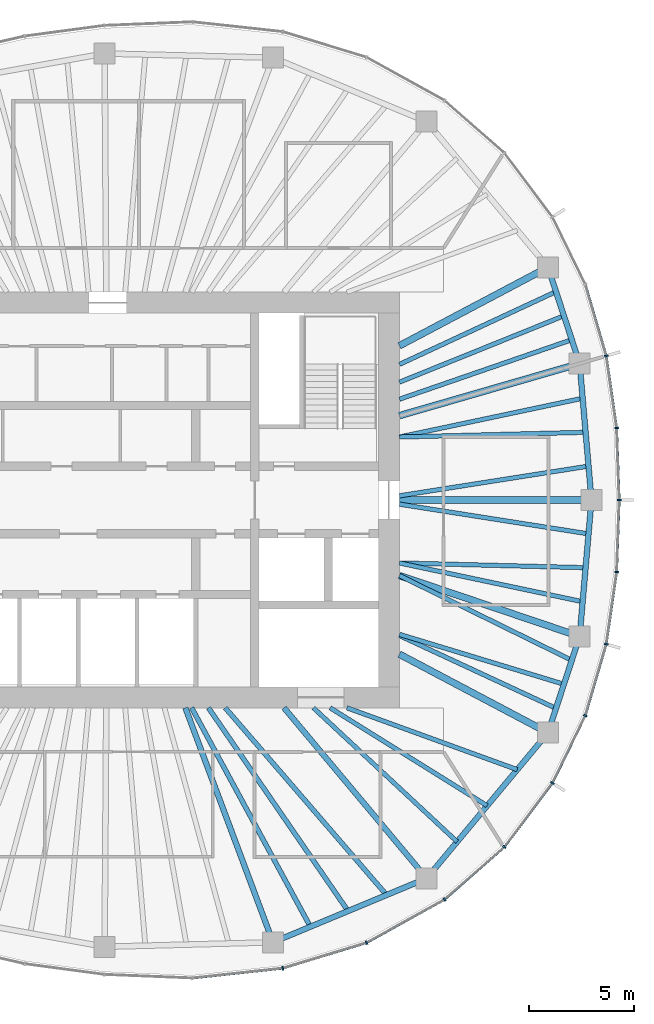
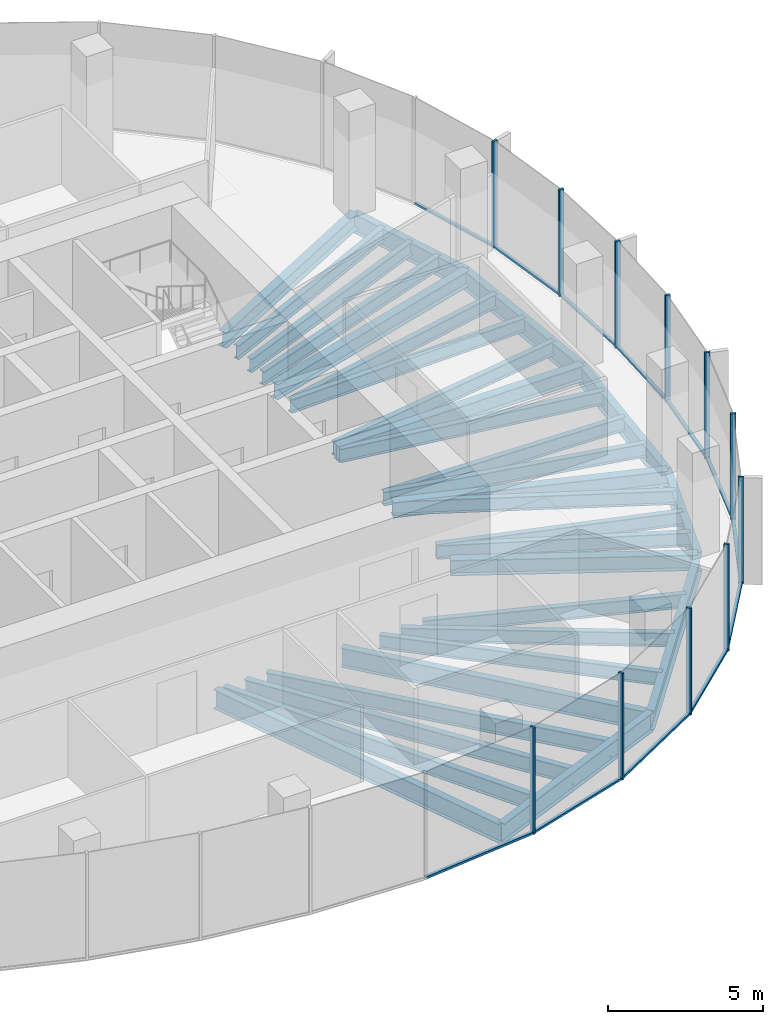
# One storey, part 4 of 11: 31 beams, 23 members, 7 elements without a shape of their own.
"""IFC4 building model written with IfcOpenShell, lengths in metres."""

from ifc_helpers import new_model, si_unit, direction, frame, origin, origin_2d, place, context, subcontext, project, spatial, rectangle, i_section, extrude, material, material_profile, profile_set, type_object, element, aggregate, save


model = new_model("IFC4")

# Units and contexts
model_context = context("Model", 3, precision=1e-05, world=origin(), true_north=direction((0.0, 1.0)))
body_context = subcontext(model_context, "Body", "Model", "MODEL_VIEW")
ifc_project = project(units=[si_unit("LENGTHUNIT", "METRE"), si_unit("AREAUNIT", "SQUARE_METRE"), si_unit("VOLUMEUNIT", "CUBIC_METRE"), si_unit("PLANEANGLEUNIT", "RADIAN"), si_unit("MASSUNIT", "GRAM", prefix="KILO")], contexts=[model_context])

# Site, building, storey
site_placement = place(None, origin())
site = spatial("IfcSite", under=ifc_project, at=site_placement, CompositionType="ELEMENT")
building_placement = place(site_placement, origin())
building = spatial("IfcBuilding", under=site, at=building_placement, Name="Ghaith Harvest Tower", CompositionType="ELEMENT")
storey_placement = place(building_placement, frame((0.0, 0.0, 313.199951171875)))
storey = spatial("IfcBuildingStorey", under=building, at=storey_placement, Name="L70", CompositionType="ELEMENT", Elevation=313.199951171875)

# Curtain wall, members
ifc_material_1 = material(Name="Black anodised aluminium and fritted glass", Category="aluminium")
curtain_wall_type = type_object("IfcCurtainWallType", Name="CW-T CURTAIN WALL", PredefinedType="NOTDEFINED", material=ifc_material_1)
curtain_wall_1_placement = place(storey_placement, origin())
curtain_wall_1 = element("IfcCurtainWall", 1, at=curtain_wall_1_placement, inside=storey, type_object=curtain_wall_type, Name="Curtain wall CW-T bay 01 L70", PredefinedType="NOTDEFINED")
ifc_material_2 = material(Name="Aluminium, black anodised", Category="aluminium")
ifc_material_profile_1 = material_profile(ifc_material_2, rectangle(XDim=0.080078125, YDim=0.179931640625, at=origin_2d()), Name="CW-T MULLION 80x180")
ifc_profile_set_1 = profile_set([ifc_material_profile_1], Name="Aluminium, black anodised")
member_type_1 = type_object("IfcMemberType", Name="CW-T MULLION 80x180", PredefinedType="MULLION", material=ifc_profile_set_1)
member_1_placement = place(storey_placement, frame((24.3701171875, 0.0, 0.0), z_axis=(0.0, 0.0, 1.0), x_axis=(5.2e-11, 1.0, 0.0)))
member_1 = element("IfcMember", 2, at=member_1_placement, type_object=member_type_1, Name="CW-T mullion 1 bay 01 L70", PredefinedType="MULLION", context=body_context, shape_type="SweptSolid", body=[
    extrude(rectangle(XDim=0.080078125, YDim=0.179931640625, at=origin_2d()), origin(), (0.0, 0.0, 1.0), 4.199951171875),
])
member_2_placement = place(storey_placement, frame((24.247802734375, 3.433837890625, 0.0), z_axis=(0.0, 0.0, 1.0), x_axis=(-0.089502202236, 0.995986624305, 0.0)))
member_2 = element("IfcMember", 3, at=member_2_placement, type_object=member_type_1, Name="CW-T mullion 2 bay 01 L70", PredefinedType="MULLION", context=body_context, shape_type="SweptSolid", body=[
    extrude(rectangle(XDim=0.080078125, YDim=0.179931640625, at=origin_2d()), origin(), (0.0, 0.0, 1.0), 4.199951171875),
])

# Curtain wall, member
curtain_wall_2_placement = place(storey_placement, origin())
curtain_wall_2 = element("IfcCurtainWall", 4, at=curtain_wall_2_placement, inside=storey, type_object=curtain_wall_type, Name="Curtain wall CW-T bay 02 L70", PredefinedType="NOTDEFINED")
member_3_placement = place(storey_placement, frame((23.753173828125, 6.865234375, 0.0), z_axis=(0.0, 0.0, 1.0), x_axis=(-0.21340203233, 0.976964468442, 0.0)))
member_3 = element("IfcMember", 5, at=member_3_placement, type_object=member_type_1, Name="CW-T mullion 1 bay 02 L70", PredefinedType="MULLION", context=body_context, shape_type="SweptSolid", body=[
    extrude(rectangle(XDim=0.080078125, YDim=0.179931640625, at=origin_2d()), origin(), (0.0, 0.0, 1.0), 4.199951171875),
])

# Curtain wall, members
curtain_wall_3_placement = place(storey_placement, origin())
curtain_wall_3 = element("IfcCurtainWall", 6, at=curtain_wall_3_placement, inside=storey, type_object=curtain_wall_type, Name="Curtain wall CW-T bay 17 L70", PredefinedType="NOTDEFINED")
member_4_placement = place(storey_placement, frame((8.33984375, -22.308837890625, 0.0), z_axis=(0.0, 0.0, 1.0), x_axis=(0.980000193265, 0.198996535647, 0.0)))
member_4 = element("IfcMember", 7, at=member_4_placement, type_object=member_type_1, Name="CW-T mullion 1 bay 17 L70", PredefinedType="MULLION", context=body_context, shape_type="SweptSolid", body=[
    extrude(rectangle(XDim=0.080078125, YDim=0.179931640625, at=origin_2d()), origin(), (0.0, 0.0, 1.0), 4.199951171875),
])
member_5_placement = place(storey_placement, frame((12.334228515625, -21.091796875, 0.0), z_axis=(0.0, 0.0, 1.0), x_axis=(0.920319269335, 0.391168048914, 0.0)))
member_5 = element("IfcMember", 8, at=member_5_placement, type_object=member_type_1, Name="CW-T mullion 2 bay 17 L70", PredefinedType="MULLION", context=body_context, shape_type="SweptSolid", body=[
    extrude(rectangle(XDim=0.080078125, YDim=0.179931640625, at=origin_2d()), origin(), (0.0, 0.0, 1.0), 4.199951171875),
])

curtain_wall_4_placement = place(storey_placement, origin())
curtain_wall_4 = element("IfcCurtainWall", 9, at=curtain_wall_4_placement, inside=storey, type_object=curtain_wall_type, Name="Curtain wall CW-T bay 18 L70", PredefinedType="NOTDEFINED")
member_6_placement = place(storey_placement, frame((16.04931640625, -19.031982421875, 0.0), z_axis=(0.0, 0.0, 1.0), x_axis=(0.821112053644, 0.570767023715, 0.0)))
member_6 = element("IfcMember", 10, at=member_6_placement, type_object=member_type_1, Name="CW-T mullion 1 bay 18 L70", PredefinedType="MULLION", context=body_context, shape_type="SweptSolid", body=[
    extrude(rectangle(XDim=0.080078125, YDim=0.179931640625, at=origin_2d()), origin(), (0.0, 0.0, 1.0), 4.199951171875),
])
member_7_placement = place(storey_placement, frame((18.901123046875, -16.527099609375, 0.0), z_axis=(0.0, 0.0, 1.0), x_axis=(0.679660897254, 0.733526458108, 0.0)))
member_7 = element("IfcMember", 11, at=member_7_placement, type_object=member_type_1, Name="CW-T mullion 2 bay 18 L70", PredefinedType="MULLION", context=body_context, shape_type="SweptSolid", body=[
    extrude(rectangle(XDim=0.080078125, YDim=0.179931640625, at=origin_2d()), origin(), (0.0, 0.0, 1.0), 4.199951171875),
])

curtain_wall_5_placement = place(storey_placement, origin())
curtain_wall_5 = element("IfcCurtainWall", 12, at=curtain_wall_5_placement, inside=storey, type_object=curtain_wall_type, Name="Curtain wall CW-T bay 19 L70", PredefinedType="NOTDEFINED")
member_8_placement = place(storey_placement, frame((21.18896484375, -13.48486328125, 0.0), z_axis=(0.0, 0.0, 1.0), x_axis=(0.524482238715, 0.85142138878, 0.0)))
member_8 = element("IfcMember", 13, at=member_8_placement, type_object=member_type_1, Name="CW-T mullion 1 bay 19 L70", PredefinedType="MULLION", context=body_context, shape_type="SweptSolid", body=[
    extrude(rectangle(XDim=0.080078125, YDim=0.179931640625, at=origin_2d()), origin(), (0.0, 0.0, 1.0), 4.199951171875),
])
member_9_placement = place(storey_placement, frame((22.754150390625, -10.272216796875, 0.0), z_axis=(0.0, 0.0, 1.0), x_axis=(0.361184273904, 0.932494461262, 0.0)))
member_9 = element("IfcMember", 14, at=member_9_placement, type_object=member_type_1, Name="CW-T mullion 2 bay 19 L70", PredefinedType="MULLION", context=body_context, shape_type="SweptSolid", body=[
    extrude(rectangle(XDim=0.080078125, YDim=0.179931640625, at=origin_2d()), origin(), (0.0, 0.0, 1.0), 4.199951171875),
])

curtain_wall_6_placement = place(storey_placement, origin())
curtain_wall_6 = element("IfcCurtainWall", 15, at=curtain_wall_6_placement, inside=storey, type_object=curtain_wall_type, Name="Curtain wall CW-T bay 20 L70", PredefinedType="NOTDEFINED")
member_10_placement = place(storey_placement, frame((23.753173828125, -6.865234375, 0.0), z_axis=(0.0, 0.0, 1.0), x_axis=(0.213402032501, 0.976964468404, 0.0)))
member_10 = element("IfcMember", 16, at=member_10_placement, type_object=member_type_1, Name="CW-T mullion 1 bay 20 L70", PredefinedType="MULLION", context=body_context, shape_type="SweptSolid", body=[
    extrude(rectangle(XDim=0.080078125, YDim=0.179931640625, at=origin_2d()), origin(), (0.0, 0.0, 1.0), 4.199951171875),
])
member_11_placement = place(storey_placement, frame((24.247802734375, -3.433837890625, 0.0), z_axis=(0.0, 0.0, 1.0), x_axis=(0.089502202305, 0.995986624299, 0.0)))
member_11 = element("IfcMember", 17, at=member_11_placement, type_object=member_type_1, Name="CW-T mullion 2 bay 20 L70", PredefinedType="MULLION", context=body_context, shape_type="SweptSolid", body=[
    extrude(rectangle(XDim=0.080078125, YDim=0.179931640625, at=origin_2d()), origin(), (0.0, 0.0, 1.0), 4.199951171875),
])

# Member
ifc_material_3 = material(Name="Aluminium, black anodised", Category="aluminium")
ifc_material_profile_2 = material_profile(ifc_material_3, rectangle(XDim=0.1201171875, YDim=0.080078125, at=origin_2d()), Name="CW-T TRANSOM 120x80")
ifc_profile_set_2 = profile_set([ifc_material_profile_2], Name="Aluminium, black anodised")
member_type_2 = type_object("IfcMemberType", Name="CW-T TRANSOM 120x80", PredefinedType="USERDEFINED", material=ifc_profile_set_2)
member_12_placement = place(storey_placement, frame((24.36865234375, 0.0400390625, 0.0400390625), z_axis=(-0.035574759537, 0.999367017909, 0.0), x_axis=(-0.999367017909, -0.035574759537, 0.0)))
member_12 = element("IfcMember", 18, at=member_12_placement, type_object=member_type_2, Name="CW-T transom 1 bay 01 L70", ObjectType="TRANSOM", PredefinedType="USERDEFINED", context=body_context, shape_type="SweptSolid", body=[
    extrude(rectangle(XDim=0.1201171875, YDim=0.080078125, at=origin_2d()), origin(), (0.0, 0.0, 1.0), 3.35595703125),
])

member_13_placement = place(storey_placement, frame((24.2421875, 3.473388671875, 0.0400390625), z_axis=(-0.142733224301, 0.989761196795, 0.0), x_axis=(-0.989761196795, -0.142733224301, 0.0)))
member_13 = element("IfcMember", 19, at=member_13_placement, type_object=member_type_2, Name="CW-T transom 2 bay 01 L70", ObjectType="TRANSOM", PredefinedType="USERDEFINED", context=body_context, shape_type="SweptSolid", body=[
    extrude(rectangle(XDim=0.1201171875, YDim=0.080078125, at=origin_2d()), origin(), (0.0, 0.0, 1.0), 3.38671875),
])

aggregate(curtain_wall_1, [member_1, member_12, member_2, member_13])

member_14_placement = place(storey_placement, frame((23.741943359375, 6.903564453125, 0.0400390625), z_axis=(-0.281385475469, 0.95959481772, 0.0), x_axis=(-0.95959481772, -0.281385475469, 0.0)))
member_14 = element("IfcMember", 20, at=member_14_placement, type_object=member_type_2, Name="CW-T transom 1 bay 02 L70", ObjectType="TRANSOM", PredefinedType="USERDEFINED", context=body_context, shape_type="SweptSolid", body=[
    extrude(rectangle(XDim=0.1201171875, YDim=0.080078125, at=origin_2d()), origin(), (0.0, 0.0, 1.0), 3.470458984375),
])

aggregate(curtain_wall_2, [member_3, member_14])

# Curtain wall, member
curtain_wall_7_placement = place(storey_placement, origin())
curtain_wall_7 = element("IfcCurtainWall", 21, at=curtain_wall_7_placement, inside=storey, type_object=curtain_wall_type, Name="Curtain wall CW-T bay 16 L70", PredefinedType="NOTDEFINED")
member_15_placement = place(storey_placement, frame((4.077392578125, -22.772216796875, 0.0400390625), z_axis=(0.994144463069, 0.108059180768, 0.0), x_axis=(-0.108059180768, 0.994144463069, 0.0)))
member_15 = element("IfcMember", 22, at=member_15_placement, type_object=member_type_2, Name="CW-T transom 2 bay 16 L70", ObjectType="TRANSOM", PredefinedType="USERDEFINED", context=body_context, shape_type="SweptSolid", body=[
    extrude(rectangle(XDim=0.1201171875, YDim=0.080078125, at=origin_2d()), origin(), (0.0, 0.0, 1.0), 4.24755859375),
])
aggregate(curtain_wall_7, [member_15])

# Member
member_16_placement = place(storey_placement, frame((8.378173828125, -22.297119140625, 0.0400390625), z_axis=(0.956593713342, 0.291424891858, 0.0), x_axis=(-0.291424891858, 0.956593713342, 0.0)))
member_16 = element("IfcMember", 23, at=member_16_placement, type_object=member_type_2, Name="CW-T transom 1 bay 17 L70", ObjectType="TRANSOM", PredefinedType="USERDEFINED", context=body_context, shape_type="SweptSolid", body=[
    extrude(rectangle(XDim=0.1201171875, YDim=0.080078125, at=origin_2d()), origin(), (0.0, 0.0, 1.0), 4.095703125),
])

member_17_placement = place(storey_placement, frame((12.369384765625, -21.072509765625, 0.0400390625), z_axis=(0.874552130553, 0.484931511603, 0.0), x_axis=(-0.484931511603, 0.874552130553, 0.0)))
member_17 = element("IfcMember", 24, at=member_17_placement, type_object=member_type_2, Name="CW-T transom 2 bay 17 L70", ObjectType="TRANSOM", PredefinedType="USERDEFINED", context=body_context, shape_type="SweptSolid", body=[
    extrude(rectangle(XDim=0.1201171875, YDim=0.080078125, at=origin_2d()), origin(), (0.0, 0.0, 1.0), 4.16748046875),
])

aggregate(curtain_wall_3, [member_4, member_16, member_5, member_17])

member_18_placement = place(storey_placement, frame((16.079345703125, -19.005615234375, 0.0400390625), z_axis=(0.751325799984, 0.659931467865, 0.0), x_axis=(-0.659931467865, 0.751325799984, 0.0)))
member_18 = element("IfcMember", 25, at=member_18_placement, type_object=member_type_2, Name="CW-T transom 1 bay 18 L70", ObjectType="TRANSOM", PredefinedType="USERDEFINED", context=body_context, shape_type="SweptSolid", body=[
    extrude(rectangle(XDim=0.1201171875, YDim=0.080078125, at=origin_2d()), origin(), (0.0, 0.0, 1.0), 3.7158203125),
])

member_19_placement = place(storey_placement, frame((18.925048828125, -16.4951171875, 0.0400390625), z_axis=(0.601079103045, 0.799189534392, 0.0), x_axis=(-0.799189534392, 0.601079103045, 0.0)))
member_19 = element("IfcMember", 26, at=member_19_placement, type_object=member_type_2, Name="CW-T transom 2 bay 18 L70", ObjectType="TRANSOM", PredefinedType="USERDEFINED", context=body_context, shape_type="SweptSolid", body=[
    extrude(rectangle(XDim=0.1201171875, YDim=0.080078125, at=origin_2d()), origin(), (0.0, 0.0, 1.0), 3.7265625),
])

aggregate(curtain_wall_4, [member_6, member_18, member_7, member_19])

member_20_placement = place(storey_placement, frame((21.20654296875, -13.448974609375, 0.0400390625), z_axis=(0.437965078712, 0.898991985408, 0.0), x_axis=(-0.898991985408, 0.437965078712, 0.0)))
member_20 = element("IfcMember", 27, at=member_20_placement, type_object=member_type_2, Name="CW-T transom 1 bay 19 L70", ObjectType="TRANSOM", PredefinedType="USERDEFINED", context=body_context, shape_type="SweptSolid", body=[
    extrude(rectangle(XDim=0.1201171875, YDim=0.080078125, at=origin_2d()), origin(), (0.0, 0.0, 1.0), 3.493408203125),
])

member_21_placement = place(storey_placement, frame((22.765380859375, -10.23388671875, 0.0400390625), z_axis=(0.281385475469, 0.95959481772, 0.0), x_axis=(-0.95959481772, 0.281385475469, 0.0)))
member_21 = element("IfcMember", 28, at=member_21_placement, type_object=member_type_2, Name="CW-T transom 2 bay 19 L70", ObjectType="TRANSOM", PredefinedType="USERDEFINED", context=body_context, shape_type="SweptSolid", body=[
    extrude(rectangle(XDim=0.1201171875, YDim=0.080078125, at=origin_2d()), origin(), (0.0, 0.0, 1.0), 3.470458984375),
])

aggregate(curtain_wall_5, [member_8, member_20, member_9, member_21])

member_22_placement = place(storey_placement, frame((23.7587890625, -6.825439453125, 0.0400390625), z_axis=(0.142733224301, 0.989761196795, 0.0), x_axis=(-0.989761196795, 0.142733224301, 0.0)))
member_22 = element("IfcMember", 29, at=member_22_placement, type_object=member_type_2, Name="CW-T transom 1 bay 20 L70", ObjectType="TRANSOM", PredefinedType="USERDEFINED", context=body_context, shape_type="SweptSolid", body=[
    extrude(rectangle(XDim=0.1201171875, YDim=0.080078125, at=origin_2d()), origin(), (0.0, 0.0, 1.0), 3.38671875),
])

member_23_placement = place(storey_placement, frame((24.249267578125, -3.393798828125, 0.0400390625), z_axis=(0.035574759537, 0.999367017909, 0.0), x_axis=(-0.999367017909, 0.035574759537, 0.0)))
member_23 = element("IfcMember", 30, at=member_23_placement, type_object=member_type_2, Name="CW-T transom 2 bay 20 L70", ObjectType="TRANSOM", PredefinedType="USERDEFINED", context=body_context, shape_type="SweptSolid", body=[
    extrude(rectangle(XDim=0.1201171875, YDim=0.080078125, at=origin_2d()), origin(), (0.0, 0.0, 1.0), 3.35595703125),
])

aggregate(curtain_wall_6, [member_10, member_22, member_11, member_23])

# Beams
ifc_material_4 = material(Name="Steel ASTM A992 Grade 50", Category="steel")
ifc_material_profile_3 = material_profile(ifc_material_4, i_section(OverallWidth=0.26611328125, OverallDepth=0.758056640625, WebThickness=0.013916015625, FlangeThickness=0.019287109375, at=origin_2d()), Name="W760X161")
ifc_profile_set_3 = profile_set([ifc_material_profile_3], Name="Steel ASTM A992 Grade 50")
beam_type_1 = type_object("IfcBeamType", Name="E760-161 W760X161", PredefinedType="SPANDREL", material=ifc_profile_set_3)
beam_1_placement = place(storey_placement, frame((23.050048828125, 0.0, -0.549072265625), z_axis=(-0.086600547306, 0.996243115513, 0.0), x_axis=(-0.996243115513, -0.086600547306, 0.0)))
element("IfcBeam", 31, at=beam_1_placement, inside=storey, type_object=beam_type_1, Name="Edge beam E01 L70", PredefinedType="SPANDREL", context=body_context, shape_type="SweptSolid", body=[
    extrude(i_section(OverallWidth=0.26611328125, OverallDepth=0.758056640625, WebThickness=0.013916015625, FlangeThickness=0.019287109375, at=origin_2d()), origin(), (0.0, 0.0, 1.0), 6.5234375),
])
beam_2_placement = place(storey_placement, frame((22.485107421875, 6.4990234375, -0.549072265625), z_axis=(-0.312206727278, 0.950014189074, 0.0), x_axis=(-0.950014189074, -0.312206727278, 0.0)))
element("IfcBeam", 32, at=beam_2_placement, inside=storey, type_object=beam_type_1, Name="Edge beam E02 L70", PredefinedType="SPANDREL", context=body_context, shape_type="SweptSolid", body=[
    extrude(i_section(OverallWidth=0.26611328125, OverallDepth=0.758056640625, WebThickness=0.013916015625, FlangeThickness=0.019287109375, at=origin_2d()), origin(), (0.0, 0.0, 1.0), 4.830322265625),
])
beam_3_placement = place(storey_placement, frame((7.8779296875, -21.072021484375, -0.549072265625), z_axis=(0.923119729219, 0.384512633766, 0.0), x_axis=(-0.384512633766, 0.923119729219, 0.0)))
element("IfcBeam", 33, at=beam_3_placement, inside=storey, type_object=beam_type_1, Name="Edge beam E17 L70", PredefinedType="SPANDREL", context=body_context, shape_type="SweptSolid", body=[
    extrude(i_section(OverallWidth=0.26611328125, OverallDepth=0.758056640625, WebThickness=0.013916015625, FlangeThickness=0.019287109375, at=origin_2d()), origin(), (0.0, 0.0, 1.0), 7.9296875),
])
beam_4_placement = place(storey_placement, frame((15.197998046875, -18.02294921875, -0.549072265625), z_axis=(0.640173759088, 0.76823014662, 0.0), x_axis=(-0.76823014662, 0.640173759088, 0.0)))
element("IfcBeam", 34, at=beam_4_placement, inside=storey, type_object=beam_type_1, Name="Edge beam E18 L70", PredefinedType="SPANDREL", context=body_context, shape_type="SweptSolid", body=[
    extrude(i_section(OverallWidth=0.26611328125, OverallDepth=0.758056640625, WebThickness=0.013916015625, FlangeThickness=0.019287109375, at=origin_2d()), origin(), (0.0, 0.0, 1.0), 9.02734375),
])
beam_5_placement = place(storey_placement, frame((20.97705078125, -11.087890625, -0.549072265625), z_axis=(0.312206727278, 0.950014189074, 0.0), x_axis=(-0.950014189074, 0.312206727278, 0.0)))
element("IfcBeam", 35, at=beam_5_placement, inside=storey, type_object=beam_type_1, Name="Edge beam E19 L70", PredefinedType="SPANDREL", context=body_context, shape_type="SweptSolid", body=[
    extrude(i_section(OverallWidth=0.26611328125, OverallDepth=0.758056640625, WebThickness=0.013916015625, FlangeThickness=0.019287109375, at=origin_2d()), origin(), (0.0, 0.0, 1.0), 4.830322265625),
])
beam_6_placement = place(storey_placement, frame((22.485107421875, -6.4990234375, -0.549072265625), z_axis=(0.086600547306, 0.996243115513, 0.0), x_axis=(-0.996243115513, 0.086600547306, 0.0)))
element("IfcBeam", 36, at=beam_6_placement, inside=storey, type_object=beam_type_1, Name="Edge beam E20 L70", PredefinedType="SPANDREL", context=body_context, shape_type="SweptSolid", body=[
    extrude(i_section(OverallWidth=0.26611328125, OverallDepth=0.758056640625, WebThickness=0.013916015625, FlangeThickness=0.019287109375, at=origin_2d()), origin(), (0.0, 0.0, 1.0), 6.5234375),
])
ifc_material_5 = material(Name="Steel ASTM A992 Grade 50", Category="steel")
ifc_material_profile_4 = material_profile(ifc_material_5, i_section(OverallWidth=0.323974609375, OverallDepth=0.611083984375, WebThickness=0.0126953125, FlangeThickness=0.01904296875, at=origin_2d()), Name="W610X155")
ifc_profile_set_4 = profile_set([ifc_material_profile_4], Name="Steel ASTM A992 Grade 50")
beam_type_2 = type_object("IfcBeamType", Name="G610-155 W610X155", PredefinedType="BEAM", material=ifc_profile_set_4)
beam_7_placement = place(storey_placement, frame((13.89990234375, 0.0, -0.475341796875), z_axis=(1.0, 0.0, 0.0), x_axis=(0.0, 1.0, 0.0)))
element("IfcBeam", 37, at=beam_7_placement, inside=storey, type_object=beam_type_2, Name="Radial girder G01 L70", PredefinedType="BEAM", context=body_context, shape_type="SweptSolid", body=[
    extrude(i_section(OverallWidth=0.323974609375, OverallDepth=0.611083984375, WebThickness=0.0126953125, FlangeThickness=0.01904296875, at=origin_2d()), origin(), (0.0, 0.0, 1.0), 9.150146484375),
])
beam_8_placement = place(storey_placement, frame((13.89990234375, 4.017333984375, -0.475341796875), z_axis=(0.960668846071, 0.27769653975, 0.0), x_axis=(-0.27769653975, 0.960668846071, 0.0)))
element("IfcBeam", 38, at=beam_8_placement, inside=storey, type_object=beam_type_2, Name="Radial girder G02 L70", PredefinedType="BEAM", context=body_context, shape_type="SweptSolid", body=[
    extrude(i_section(OverallWidth=0.323974609375, OverallDepth=0.611083984375, WebThickness=0.0126953125, FlangeThickness=0.01904296875, at=origin_2d()), origin(), (0.0, 0.0, 1.0), 8.936767578125),
])
for number, where, z_axis, x_axis, name in (
    (39, (13.89990234375, 7.34716796875, -0.475341796875), (0.884097820364, 0.467301876764, 0.0), (-0.467301876764, 0.884097820364, 0.0), "Radial girder G03 L70"),
    (40, (13.89990234375, -7.34716796875, -0.475341796875), (0.884097820364, -0.467301876764, 0.0), (0.467301876764, 0.884097820364, 0.0), "Radial girder G19 L70"),
):
    element("IfcBeam", number, at=place(storey_placement, frame(where, z_axis=z_axis, x_axis=x_axis)), inside=storey, type_object=beam_type_2, Name=name, PredefinedType="BEAM", context=body_context, shape_type="SweptSolid", body=[
        extrude(i_section(OverallWidth=0.323974609375, OverallDepth=0.611083984375, WebThickness=0.0126953125, FlangeThickness=0.01904296875, at=origin_2d()), origin(), (0.0, 0.0, 1.0), 8.0048828125),
    ])
beam_9_placement = place(storey_placement, frame((13.89990234375, -3.60009765625, -0.475341796875), z_axis=(0.947444819082, -0.319919231673, 0.0), x_axis=(0.319919231673, 0.947444819082, 0.0)))
element("IfcBeam", 41, at=beam_9_placement, inside=storey, type_object=beam_type_2, Name="Radial girder G20 L70", PredefinedType="BEAM", context=body_context, shape_type="SweptSolid", body=[
    extrude(i_section(OverallWidth=0.323974609375, OverallDepth=0.611083984375, WebThickness=0.0126953125, FlangeThickness=0.01904296875, at=origin_2d()), origin(), (0.0, 0.0, 1.0), 9.0615234375),
])
ifc_material_6 = material(Name="Steel ASTM A992 Grade 50", Category="steel")
ifc_material_profile_5 = material_profile(ifc_material_6, i_section(OverallWidth=0.26611328125, OverallDepth=0.758056640625, WebThickness=0.013916015625, FlangeThickness=0.019287109375, at=origin_2d()), Name="W760X161")
ifc_profile_set_5 = profile_set([ifc_material_profile_5], Name="Steel ASTM A992 Grade 50")
beam_type_3 = type_object("IfcBeamType", Name="G760-161 W760X161", PredefinedType="BEAM", material=ifc_profile_set_5)
beam_10_placement = place(storey_placement, frame((3.700927734375, -9.89990234375, -0.549072265625), z_axis=(0.350201332531, -0.936674450753, 0.0), x_axis=(0.936674450753, 0.350201332531, 0.0)))
element("IfcBeam", 42, at=beam_10_placement, inside=storey, type_object=beam_type_3, Name="Radial girder G17 L70", PredefinedType="BEAM", context=body_context, shape_type="SweptSolid", body=[
    extrude(i_section(OverallWidth=0.26611328125, OverallDepth=0.758056640625, WebThickness=0.013916015625, FlangeThickness=0.019287109375, at=origin_2d()), origin(), (0.0, 0.0, 1.0), 11.927490234375),
])
beam_11_placement = place(storey_placement, frame((8.39990234375, -9.89990234375, -0.549072265625), z_axis=(0.641792628883, -0.766878231215, 0.0), x_axis=(0.766878231215, 0.641792628883, 0.0)))
element("IfcBeam", 43, at=beam_11_placement, inside=storey, type_object=beam_type_3, Name="Radial girder G18 L70", PredefinedType="BEAM", context=body_context, shape_type="SweptSolid", body=[
    extrude(i_section(OverallWidth=0.26611328125, OverallDepth=0.758056640625, WebThickness=0.013916015625, FlangeThickness=0.019287109375, at=origin_2d()), origin(), (0.0, 0.0, 1.0), 10.59228515625),
])
ifc_material_7 = material(Name="Steel ASTM A992 Grade 50", Category="steel")
ifc_material_profile_6 = material_profile(ifc_material_7, i_section(OverallWidth=0.2109375, OverallDepth=0.5390625, WebThickness=0.01171875, FlangeThickness=0.018798828125, at=origin_2d()), Name="W530X109")
ifc_profile_set_6 = profile_set([ifc_material_profile_6], Name="Steel ASTM A992 Grade 50")
beam_type_4 = type_object("IfcBeamType", Name="J530-109 W530X109", PredefinedType="JOIST", material=ifc_profile_set_6)
beam_12_placement = place(storey_placement, frame((13.89990234375, 0.199951171875, -0.439453125), z_axis=(0.987906665526, 0.155049734628, 0.0), x_axis=(-0.155049734628, 0.987906665526, 0.0)))
element("IfcBeam", 44, at=beam_12_placement, inside=storey, type_object=beam_type_4, Name="Joist J01.1 L70", PredefinedType="JOIST", context=body_context, shape_type="SweptSolid", body=[
    extrude(i_section(OverallWidth=0.2109375, OverallDepth=0.5390625, WebThickness=0.01171875, FlangeThickness=0.018798828125, at=origin_2d()), origin(), (0.0, 0.0, 1.0), 9.1201171875),
])
beam_13_placement = place(storey_placement, frame((13.89990234375, 3.0, -0.439453125), z_axis=(0.999679533859, 0.025314612071, 0.0), x_axis=(-0.025314612071, 0.999679533859, 0.0)))
element("IfcBeam", 45, at=beam_13_placement, inside=storey, type_object=beam_type_4, Name="Joist J01.2 L70", PredefinedType="JOIST", context=body_context, shape_type="SweptSolid", body=[
    extrude(i_section(OverallWidth=0.2109375, OverallDepth=0.5390625, WebThickness=0.01171875, FlangeThickness=0.018798828125, at=origin_2d()), origin(), (0.0, 0.0, 1.0), 8.872802734375),
])
beam_14_placement = place(storey_placement, frame((13.89990234375, 3.0, -0.439453125), z_axis=(0.97833382446, 0.207033639579, 0.0), x_axis=(-0.207033639579, 0.97833382446, 0.0)))
element("IfcBeam", 46, at=beam_14_placement, inside=storey, type_object=beam_type_4, Name="Joist J01.3 L70", PredefinedType="JOIST", context=body_context, shape_type="SweptSolid", body=[
    extrude(i_section(OverallWidth=0.2109375, OverallDepth=0.5390625, WebThickness=0.01171875, FlangeThickness=0.018798828125, at=origin_2d()), origin(), (0.0, 0.0, 1.0), 8.922119140625),
])
beam_15_placement = place(storey_placement, frame((13.89990234375, 4.801025390625, -0.439453125), z_axis=(0.945204712775, 0.326478254937, 0.0), x_axis=(-0.326478254937, 0.945204712775, 0.0)))
element("IfcBeam", 47, at=beam_15_placement, inside=storey, type_object=beam_type_4, Name="Joist J02.1 L70", PredefinedType="JOIST", context=body_context, shape_type="SweptSolid", body=[
    extrude(i_section(OverallWidth=0.2109375, OverallDepth=0.5390625, WebThickness=0.01171875, FlangeThickness=0.018798828125, at=origin_2d()), origin(), (0.0, 0.0, 1.0), 8.687255859375),
])
beam_16_placement = place(storey_placement, frame((13.89990234375, 5.61328125, -0.439453125), z_axis=(0.927254375113, 0.374432001615, 0.0), x_axis=(-0.374432001615, 0.927254375113, 0.0)))
element("IfcBeam", 48, at=beam_16_placement, inside=storey, type_object=beam_type_4, Name="Joist J02.2 L70", PredefinedType="JOIST", context=body_context, shape_type="SweptSolid", body=[
    extrude(i_section(OverallWidth=0.2109375, OverallDepth=0.5390625, WebThickness=0.01171875, FlangeThickness=0.018798828125, at=origin_2d()), origin(), (0.0, 0.0, 1.0), 8.450927734375),
])
beam_17_placement = place(storey_placement, frame((13.89990234375, 6.45947265625, -0.439453125), z_axis=(0.906859906661, 0.42143221245, 0.0), x_axis=(-0.42143221245, 0.906859906661, 0.0)))
element("IfcBeam", 49, at=beam_17_placement, inside=storey, type_object=beam_type_4, Name="Joist J02.3 L70", PredefinedType="JOIST", context=body_context, shape_type="SweptSolid", body=[
    extrude(i_section(OverallWidth=0.2109375, OverallDepth=0.5390625, WebThickness=0.01171875, FlangeThickness=0.018798828125, at=origin_2d()), origin(), (0.0, 0.0, 1.0), 8.22509765625),
])
beam_18_placement = place(storey_placement, frame((9.800048828125, -9.89990234375, -0.439453125), z_axis=(0.73164904944, -0.681681500742, 0.0), x_axis=(0.681681500742, 0.73164904944, 0.0)))
element("IfcBeam", 50, at=beam_18_placement, inside=storey, type_object=beam_type_4, Name="Joist J18.1 L70", PredefinedType="JOIST", context=body_context, shape_type="SweptSolid", body=[
    extrude(i_section(OverallWidth=0.2109375, OverallDepth=0.5390625, WebThickness=0.01171875, FlangeThickness=0.018798828125, at=origin_2d()), origin(), (0.0, 0.0, 1.0), 9.361572265625),
])
beam_19_placement = place(storey_placement, frame((10.60009765625, -9.89990234375, -0.439453125), z_axis=(0.84837619421, -0.52939383553, 0.0), x_axis=(0.52939383553, 0.84837619421, 0.0)))
element("IfcBeam", 51, at=beam_19_placement, inside=storey, type_object=beam_type_4, Name="Joist J18.2 L70", PredefinedType="JOIST", context=body_context, shape_type="SweptSolid", body=[
    extrude(i_section(OverallWidth=0.2109375, OverallDepth=0.5390625, WebThickness=0.01171875, FlangeThickness=0.018798828125, at=origin_2d()), origin(), (0.0, 0.0, 1.0), 8.814697265625),
])
beam_20_placement = place(storey_placement, frame((11.39990234375, -9.89990234375, -0.439453125), z_axis=(0.939925501564, -0.341379629605, 0.0), x_axis=(0.341379629605, 0.939925501564, 0.0)))
element("IfcBeam", 52, at=beam_20_placement, inside=storey, type_object=beam_type_4, Name="Joist J18.3 L70", PredefinedType="JOIST", context=body_context, shape_type="SweptSolid", body=[
    extrude(i_section(OverallWidth=0.2109375, OverallDepth=0.5390625, WebThickness=0.01171875, FlangeThickness=0.018798828125, at=origin_2d()), origin(), (0.0, 0.0, 1.0), 8.630615234375),
])
beam_21_placement = place(storey_placement, frame((13.89990234375, -6.45947265625, -0.439453125), z_axis=(0.906859906661, -0.42143221245, 0.0), x_axis=(0.42143221245, 0.906859906661, 0.0)))
element("IfcBeam", 53, at=beam_21_placement, inside=storey, type_object=beam_type_4, Name="Joist J19.1 L70", PredefinedType="JOIST", context=body_context, shape_type="SweptSolid", body=[
    extrude(i_section(OverallWidth=0.2109375, OverallDepth=0.5390625, WebThickness=0.01171875, FlangeThickness=0.018798828125, at=origin_2d()), origin(), (0.0, 0.0, 1.0), 8.22509765625),
])
beam_22_placement = place(storey_placement, frame((13.89990234375, -6.39990234375, -0.439453125), z_axis=(0.9569197823, -0.290352424208, 0.0), x_axis=(0.290352424208, 0.9569197823, 0.0)))
element("IfcBeam", 54, at=beam_22_placement, inside=storey, type_object=beam_type_4, Name="Joist J19.2 L70", PredefinedType="JOIST", context=body_context, shape_type="SweptSolid", body=[
    extrude(i_section(OverallWidth=0.2109375, OverallDepth=0.5390625, WebThickness=0.01171875, FlangeThickness=0.018798828125, at=origin_2d()), origin(), (0.0, 0.0, 1.0), 8.18896484375),
])
beam_23_placement = place(storey_placement, frame((13.89990234375, -3.60009765625, -0.439453125), z_axis=(0.89740088778, -0.441216099674, 0.0), x_axis=(0.441216099674, 0.89740088778, 0.0)))
element("IfcBeam", 55, at=beam_23_placement, inside=storey, type_object=beam_type_4, Name="Joist J19.3 L70", PredefinedType="JOIST", context=body_context, shape_type="SweptSolid", body=[
    extrude(i_section(OverallWidth=0.2109375, OverallDepth=0.5390625, WebThickness=0.01171875, FlangeThickness=0.018798828125, at=origin_2d()), origin(), (0.0, 0.0, 1.0), 9.14990234375),
])
beam_24_placement = place(storey_placement, frame((13.89990234375, -3.0, -0.439453125), z_axis=(0.97833382446, -0.207033639579, 0.0), x_axis=(0.207033639579, 0.97833382446, 0.0)))
element("IfcBeam", 56, at=beam_24_placement, inside=storey, type_object=beam_type_4, Name="Joist J20.1 L70", PredefinedType="JOIST", context=body_context, shape_type="SweptSolid", body=[
    extrude(i_section(OverallWidth=0.2109375, OverallDepth=0.5390625, WebThickness=0.01171875, FlangeThickness=0.018798828125, at=origin_2d()), origin(), (0.0, 0.0, 1.0), 8.922119140625),
])
beam_25_placement = place(storey_placement, frame((13.89990234375, -3.0, -0.439453125), z_axis=(0.999679533859, -0.025314612071, 0.0), x_axis=(0.025314612071, 0.999679533859, 0.0)))
element("IfcBeam", 57, at=beam_25_placement, inside=storey, type_object=beam_type_4, Name="Joist J20.2 L70", PredefinedType="JOIST", context=body_context, shape_type="SweptSolid", body=[
    extrude(i_section(OverallWidth=0.2109375, OverallDepth=0.5390625, WebThickness=0.01171875, FlangeThickness=0.018798828125, at=origin_2d()), origin(), (0.0, 0.0, 1.0), 8.872802734375),
])
beam_26_placement = place(storey_placement, frame((13.89990234375, -0.199951171875, -0.439453125), z_axis=(0.987906665526, -0.155049734628, 0.0), x_axis=(0.155049734628, 0.987906665526, 0.0)))
element("IfcBeam", 58, at=beam_26_placement, inside=storey, type_object=beam_type_4, Name="Joist J20.3 L70", PredefinedType="JOIST", context=body_context, shape_type="SweptSolid", body=[
    extrude(i_section(OverallWidth=0.2109375, OverallDepth=0.5390625, WebThickness=0.01171875, FlangeThickness=0.018798828125, at=origin_2d()), origin(), (0.0, 0.0, 1.0), 9.1201171875),
])
ifc_material_8 = material(Name="Steel ASTM A992 Grade 50", Category="steel")
ifc_material_profile_7 = material_profile(ifc_material_8, i_section(OverallWidth=0.22998046875, OverallDepth=0.616943359375, WebThickness=0.01318359375, FlangeThickness=0.022216796875, at=origin_2d()), Name="W610X140")
ifc_profile_set_7 = profile_set([ifc_material_profile_7], Name="Steel ASTM A992 Grade 50")
beam_type_5 = type_object("IfcBeamType", Name="J610-140 W610X140", PredefinedType="JOIST", material=ifc_profile_set_7)
beam_27_placement = place(storey_placement, frame((4.0, -9.89990234375, -0.478515625), z_axis=(0.476764926531, -0.879030832696, 0.0), x_axis=(0.879030832696, 0.476764926531, 0.0)))
element("IfcBeam", 59, at=beam_27_placement, inside=storey, type_object=beam_type_5, Name="Joist J17.1 L70", PredefinedType="JOIST", context=body_context, shape_type="SweptSolid", body=[
    extrude(i_section(OverallWidth=0.22998046875, OverallDepth=0.616943359375, WebThickness=0.01318359375, FlangeThickness=0.022216796875, at=origin_2d()), origin(), (0.0, 0.0, 1.0), 11.866455078125),
])
beam_28_placement = place(storey_placement, frame((4.800048828125, -9.89990234375, -0.478515625), z_axis=(0.566228035119, -0.824248634967, 0.0), x_axis=(0.824248634967, 0.566228035119, 0.0)))
element("IfcBeam", 60, at=beam_28_placement, inside=storey, type_object=beam_type_5, Name="Joist J17.2 L70", PredefinedType="JOIST", context=body_context, shape_type="SweptSolid", body=[
    extrude(i_section(OverallWidth=0.22998046875, OverallDepth=0.616943359375, WebThickness=0.01318359375, FlangeThickness=0.022216796875, at=origin_2d()), origin(), (0.0, 0.0, 1.0), 11.748046875),
])
beam_29_placement = place(storey_placement, frame((5.60009765625, -9.89990234375, -0.478515625), z_axis=(0.652992938501, -0.757363995888, 0.0), x_axis=(0.757363995888, 0.652992938501, 0.0)))
element("IfcBeam", 61, at=beam_29_placement, inside=storey, type_object=beam_type_5, Name="Joist J17.3 L70", PredefinedType="JOIST", context=body_context, shape_type="SweptSolid", body=[
    extrude(i_section(OverallWidth=0.22998046875, OverallDepth=0.616943359375, WebThickness=0.01318359375, FlangeThickness=0.022216796875, at=origin_2d()), origin(), (0.0, 0.0, 1.0), 11.775390625),
])

save(model, "model.ifc")
